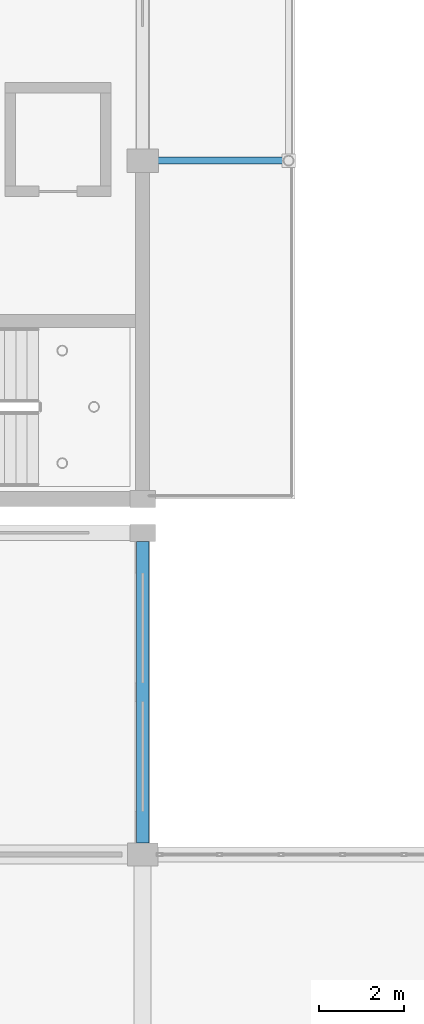
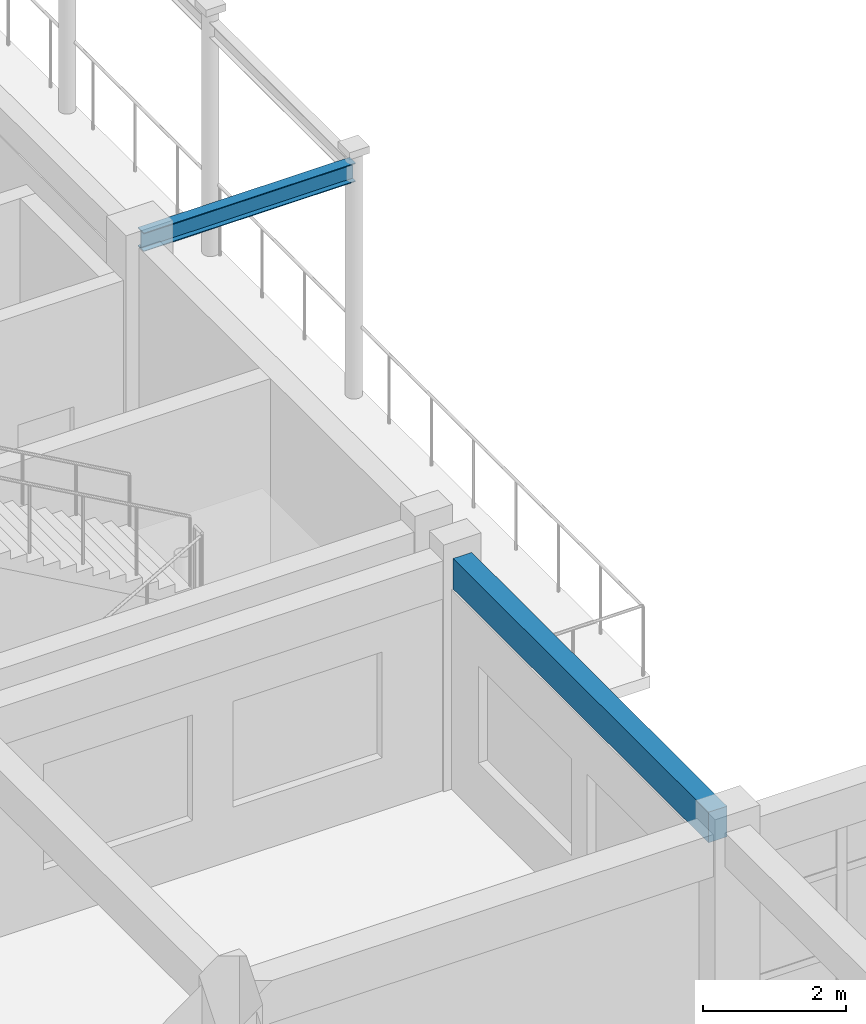
# One storey, part 66 of 195: 2 beams.
"""IFC4 building model written with IfcOpenShell, lengths in metres."""

from ifc_helpers import new_model, si_unit, direction, frame, origin, origin_2d, place, context, subcontext, project, spatial, rectangle, i_section, extrude, material, material_profile, profile_set, type_object, element, save


model = new_model("IFC4")

# Units and contexts
model_context = context("Model", 3, precision=1e-05, world=origin(), true_north=direction((0.0, 1.0)))
body_context = subcontext(model_context, "Body", "Model", "MODEL_VIEW")
ifc_project = project(units=[si_unit("LENGTHUNIT", "METRE"), si_unit("AREAUNIT", "SQUARE_METRE"), si_unit("VOLUMEUNIT", "CUBIC_METRE"), si_unit("PLANEANGLEUNIT", "RADIAN"), si_unit("MASSUNIT", "GRAM", prefix="KILO")], contexts=[model_context])

# Site, building, storey
site_placement = place(None, origin())
site = spatial("IfcSite", under=ifc_project, at=site_placement, CompositionType="ELEMENT")
building_placement = place(site_placement, origin())
building = spatial("IfcBuilding", under=site, at=building_placement, Name="Kharva Crest Polytechnic", CompositionType="ELEMENT")
storey_placement = place(building_placement, frame((0.0, 0.0, 9.0)))
storey = spatial("IfcBuildingStorey", under=building, at=storey_placement, Name="L02", CompositionType="ELEMENT", Elevation=9.0)

# Beams
ifc_material_1 = material(Name="Steel S355", Category="steel")
ifc_material_profile_1 = material_profile(ifc_material_1, i_section(OverallWidth=0.1669921875, OverallDepth=0.31689453125, WebThickness=0.007568359375, FlangeThickness=0.01318359375, at=origin_2d()), Name="W310X52")
ifc_profile_set_1 = profile_set([ifc_material_profile_1], Name="Steel S355")
beam_type_1 = type_object("IfcBeamType", Name="BM-STL-W310X52", PredefinedType="BEAM", material=ifc_profile_set_1)
beam_1_placement = place(storey_placement, frame((48.02001953125, 46.800048828125, 3.83154296875), z_axis=(1.0, 0.0, 0.0), x_axis=(0.0, 1.0, 0.0)))
element("IfcBeam", 1, at=beam_1_placement, inside=storey, type_object=beam_type_1, Name="L02 West Veranda Tie 1", PredefinedType="BEAM", context=body_context, shape_type="SweptSolid", body=[
    extrude(i_section(OverallWidth=0.1669921875, OverallDepth=0.31689453125, WebThickness=0.007568359375, FlangeThickness=0.01318359375, at=origin_2d()), origin(), (0.0, 0.0, 1.0), 3.409912109375),
])
ifc_material_2 = material(Name="Concrete C35/45", Category="concrete")
ifc_material_profile_2 = material_profile(ifc_material_2, rectangle(XDim=0.300048828125, YDim=0.52001953125, at=origin_2d()), Name="RECT 300 X 520")
ifc_profile_set_2 = profile_set([ifc_material_profile_2], Name="Concrete C35/45")
beam_type_2 = type_object("IfcBeamType", Name="SP-RC-300X520", PredefinedType="SPANDREL", material=ifc_profile_set_2)
beam_2_placement = place(storey_placement, frame((48.0, 30.675048828125, 3.659912109375), z_axis=(0.0, 1.0, 0.0), x_axis=(-1.0, 0.0, 0.0)))
element("IfcBeam", 2, at=beam_2_placement, inside=storey, type_object=beam_type_2, Name="L02 Girder 7/E-F", PredefinedType="SPANDREL", context=body_context, shape_type="SweptSolid", body=[
    extrude(rectangle(XDim=0.300048828125, YDim=0.52001953125, at=origin_2d()), origin(), (0.0, 0.0, 1.0), 7.125),
])

save(model, "model.ifc")
